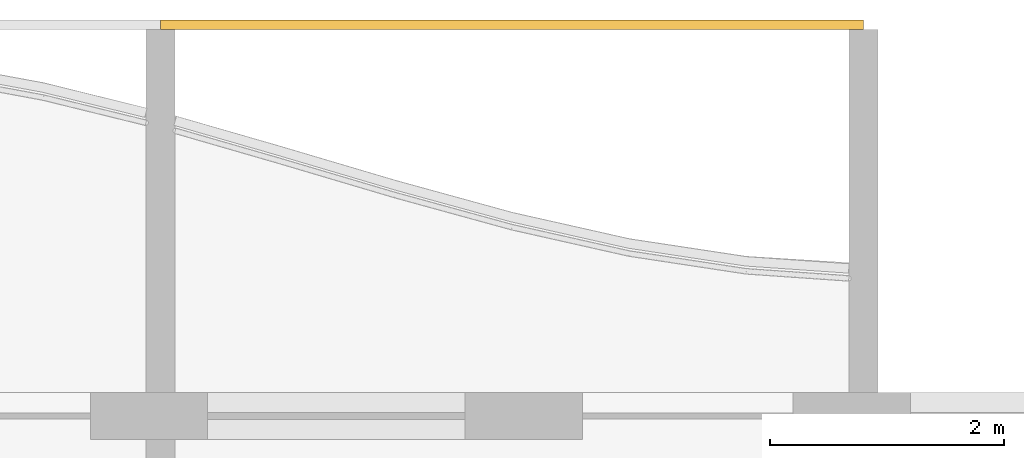
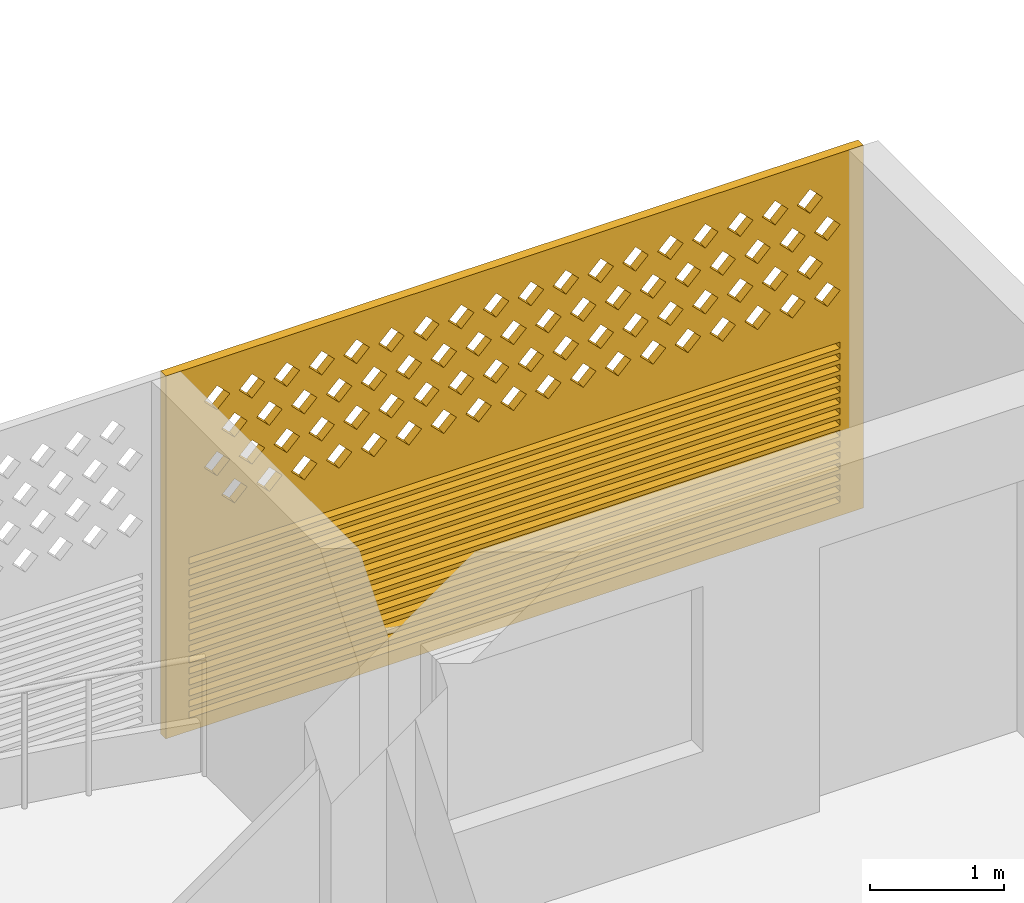
# One storey, part 23 of 29: 1 covering.
"""IFC4 building model written with IfcOpenShell, lengths in metres."""

from ifc_helpers import new_model, si_unit, direction, frame, origin, place, context, subcontext, project, spatial, polyline, outline, extrude, source, transform, mapped, material, material_profile, profile_set, type_object, element, save


model = new_model("IFC4")

# Units and contexts
model_context = context("Model", 3, precision=1e-05, world=origin(), true_north=direction((0.0, 1.0)))
body_context = subcontext(model_context, "Body", "Model", "MODEL_VIEW")
ifc_project = project(units=[si_unit("LENGTHUNIT", "METRE"), si_unit("AREAUNIT", "SQUARE_METRE"), si_unit("VOLUMEUNIT", "CUBIC_METRE"), si_unit("PLANEANGLEUNIT", "RADIAN"), si_unit("MASSUNIT", "GRAM", prefix="KILO")], contexts=[model_context])

# Site, building, storey
site_placement = place(None, origin())
site = spatial("IfcSite", under=ifc_project, at=site_placement, CompositionType="ELEMENT")
building_placement = place(site_placement, origin())
building = spatial("IfcBuilding", under=site, at=building_placement, Name="Poui Terraces", CompositionType="ELEMENT")
storey_placement = place(building_placement, frame((0.0, 0.0, 237.89990234375)))
storey = spatial("IfcBuildingStorey", under=building, at=storey_placement, Name="L66", CompositionType="ELEMENT", Elevation=237.89990234375)

# Covering
ifc_material = material(Name="Terracotta screen", Category="masonry")
ifc_material_profile = material_profile(ifc_material, outline(polyline([(-3.0, -1.64990234375), (3.0, -1.64990234375), (3.0, 1.64990234375), (-3.0, 1.64990234375), (-3.0, -1.64990234375)]), holes=[polyline([(-2.800048828125, 0.39990234375), (-2.68994140625, 0.2900390625), (-2.580078125, 0.39990234375), (-2.68994140625, 0.510009765625), (-2.800048828125, 0.39990234375)]), polyline([(-2.5, 0.39990234375), (-2.389892578125, 0.2900390625), (-2.280029296875, 0.39990234375), (-2.389892578125, 0.510009765625), (-2.5, 0.39990234375)]), polyline([(-2.199951171875, 0.39990234375), (-2.090087890625, 0.2900390625), (-1.97998046875, 0.39990234375), (-2.090087890625, 0.510009765625), (-2.199951171875, 0.39990234375)]), polyline([(-1.89990234375, 0.39990234375), (-1.7900390625, 0.2900390625), (-1.679931640625, 0.39990234375), (-1.7900390625, 0.510009765625), (-1.89990234375, 0.39990234375)]), polyline([(-1.60009765625, 0.39990234375), (-1.489990234375, 0.2900390625), (-1.3798828125, 0.39990234375), (-1.489990234375, 0.510009765625), (-1.60009765625, 0.39990234375)]), polyline([(-1.300048828125, 0.39990234375), (-1.18994140625, 0.2900390625), (-1.080078125, 0.39990234375), (-1.18994140625, 0.510009765625), (-1.300048828125, 0.39990234375)]), polyline([(-1.0, 0.39990234375), (-0.889892578125, 0.2900390625), (-0.780029296875, 0.39990234375), (-0.889892578125, 0.510009765625), (-1.0, 0.39990234375)]), polyline([(-0.699951171875, 0.39990234375), (-0.590087890625, 0.2900390625), (-0.47998046875, 0.39990234375), (-0.590087890625, 0.510009765625), (-0.699951171875, 0.39990234375)]), polyline([(-0.39990234375, 0.39990234375), (-0.2900390625, 0.2900390625), (-0.179931640625, 0.39990234375), (-0.2900390625, 0.510009765625), (-0.39990234375, 0.39990234375)]), polyline([(-0.10009765625, 0.39990234375), (0.010009765625, 0.2900390625), (0.1201171875, 0.39990234375), (0.010009765625, 0.510009765625), (-0.10009765625, 0.39990234375)]), polyline([(0.199951171875, 0.39990234375), (0.31005859375, 0.2900390625), (0.419921875, 0.39990234375), (0.31005859375, 0.510009765625), (0.199951171875, 0.39990234375)]), polyline([(0.5, 0.39990234375), (0.610107421875, 0.2900390625), (0.719970703125, 0.39990234375), (0.610107421875, 0.510009765625), (0.5, 0.39990234375)]), polyline([(0.800048828125, 0.39990234375), (0.909912109375, 0.2900390625), (1.02001953125, 0.39990234375), (0.909912109375, 0.510009765625), (0.800048828125, 0.39990234375)]), polyline([(1.10009765625, 0.39990234375), (1.2099609375, 0.2900390625), (1.320068359375, 0.39990234375), (1.2099609375, 0.510009765625), (1.10009765625, 0.39990234375)]), polyline([(1.39990234375, 0.39990234375), (1.510009765625, 0.2900390625), (1.6201171875, 0.39990234375), (1.510009765625, 0.510009765625), (1.39990234375, 0.39990234375)]), polyline([(1.699951171875, 0.39990234375), (1.81005859375, 0.2900390625), (1.919921875, 0.39990234375), (1.81005859375, 0.510009765625), (1.699951171875, 0.39990234375)]), polyline([(2.0, 0.39990234375), (2.110107421875, 0.2900390625), (2.219970703125, 0.39990234375), (2.110107421875, 0.510009765625), (2.0, 0.39990234375)]), polyline([(2.300048828125, 0.39990234375), (2.409912109375, 0.2900390625), (2.52001953125, 0.39990234375), (2.409912109375, 0.510009765625), (2.300048828125, 0.39990234375)]), polyline([(-2.64990234375, 0.699951171875), (-2.5400390625, 0.590087890625), (-2.429931640625, 0.699951171875), (-2.5400390625, 0.81005859375), (-2.64990234375, 0.699951171875)]), polyline([(-2.35009765625, 0.699951171875), (-2.239990234375, 0.590087890625), (-2.1298828125, 0.699951171875), (-2.239990234375, 0.81005859375), (-2.35009765625, 0.699951171875)]), polyline([(-2.050048828125, 0.699951171875), (-1.93994140625, 0.590087890625), (-1.830078125, 0.699951171875), (-1.93994140625, 0.81005859375), (-2.050048828125, 0.699951171875)]), polyline([(-1.75, 0.699951171875), (-1.639892578125, 0.590087890625), (-1.530029296875, 0.699951171875), (-1.639892578125, 0.81005859375), (-1.75, 0.699951171875)]), polyline([(-1.449951171875, 0.699951171875), (-1.340087890625, 0.590087890625), (-1.22998046875, 0.699951171875), (-1.340087890625, 0.81005859375), (-1.449951171875, 0.699951171875)]), polyline([(-1.14990234375, 0.699951171875), (-1.0400390625, 0.590087890625), (-0.929931640625, 0.699951171875), (-1.0400390625, 0.81005859375), (-1.14990234375, 0.699951171875)]), polyline([(-0.85009765625, 0.699951171875), (-0.739990234375, 0.590087890625), (-0.6298828125, 0.699951171875), (-0.739990234375, 0.81005859375), (-0.85009765625, 0.699951171875)]), polyline([(-0.550048828125, 0.699951171875), (-0.43994140625, 0.590087890625), (-0.330078125, 0.699951171875), (-0.43994140625, 0.81005859375), (-0.550048828125, 0.699951171875)]), polyline([(-0.25, 0.699951171875), (-0.139892578125, 0.590087890625), (-0.030029296875, 0.699951171875), (-0.139892578125, 0.81005859375), (-0.25, 0.699951171875)]), polyline([(0.050048828125, 0.699951171875), (0.159912109375, 0.590087890625), (0.27001953125, 0.699951171875), (0.159912109375, 0.81005859375), (0.050048828125, 0.699951171875)]), polyline([(0.35009765625, 0.699951171875), (0.4599609375, 0.590087890625), (0.570068359375, 0.699951171875), (0.4599609375, 0.81005859375), (0.35009765625, 0.699951171875)]), polyline([(0.64990234375, 0.699951171875), (0.760009765625, 0.590087890625), (0.8701171875, 0.699951171875), (0.760009765625, 0.81005859375), (0.64990234375, 0.699951171875)]), polyline([(0.949951171875, 0.699951171875), (1.06005859375, 0.590087890625), (1.169921875, 0.699951171875), (1.06005859375, 0.81005859375), (0.949951171875, 0.699951171875)]), polyline([(1.25, 0.699951171875), (1.360107421875, 0.590087890625), (1.469970703125, 0.699951171875), (1.360107421875, 0.81005859375), (1.25, 0.699951171875)]), polyline([(1.550048828125, 0.699951171875), (1.659912109375, 0.590087890625), (1.77001953125, 0.699951171875), (1.659912109375, 0.81005859375), (1.550048828125, 0.699951171875)]), polyline([(1.85009765625, 0.699951171875), (1.9599609375, 0.590087890625), (2.070068359375, 0.699951171875), (1.9599609375, 0.81005859375), (1.85009765625, 0.699951171875)]), polyline([(2.14990234375, 0.699951171875), (2.260009765625, 0.590087890625), (2.3701171875, 0.699951171875), (2.260009765625, 0.81005859375), (2.14990234375, 0.699951171875)]), polyline([(2.449951171875, 0.699951171875), (2.56005859375, 0.590087890625), (2.669921875, 0.699951171875), (2.56005859375, 0.81005859375), (2.449951171875, 0.699951171875)]), polyline([(-2.800048828125, 1.0), (-2.68994140625, 0.889892578125), (-2.580078125, 1.0), (-2.68994140625, 1.110107421875), (-2.800048828125, 1.0)]), polyline([(-2.5, 1.0), (-2.389892578125, 0.889892578125), (-2.280029296875, 1.0), (-2.389892578125, 1.110107421875), (-2.5, 1.0)]), polyline([(-2.199951171875, 1.0), (-2.090087890625, 0.889892578125), (-1.97998046875, 1.0), (-2.090087890625, 1.110107421875), (-2.199951171875, 1.0)]), polyline([(-1.89990234375, 1.0), (-1.7900390625, 0.889892578125), (-1.679931640625, 1.0), (-1.7900390625, 1.110107421875), (-1.89990234375, 1.0)]), polyline([(-1.60009765625, 1.0), (-1.489990234375, 0.889892578125), (-1.3798828125, 1.0), (-1.489990234375, 1.110107421875), (-1.60009765625, 1.0)]), polyline([(-1.300048828125, 1.0), (-1.18994140625, 0.889892578125), (-1.080078125, 1.0), (-1.18994140625, 1.110107421875), (-1.300048828125, 1.0)]), polyline([(-1.0, 1.0), (-0.889892578125, 0.889892578125), (-0.780029296875, 1.0), (-0.889892578125, 1.110107421875), (-1.0, 1.0)]), polyline([(-0.699951171875, 1.0), (-0.590087890625, 0.889892578125), (-0.47998046875, 1.0), (-0.590087890625, 1.110107421875), (-0.699951171875, 1.0)]), polyline([(-0.39990234375, 1.0), (-0.2900390625, 0.889892578125), (-0.179931640625, 1.0), (-0.2900390625, 1.110107421875), (-0.39990234375, 1.0)]), polyline([(-0.10009765625, 1.0), (0.010009765625, 0.889892578125), (0.1201171875, 1.0), (0.010009765625, 1.110107421875), (-0.10009765625, 1.0)]), polyline([(0.199951171875, 1.0), (0.31005859375, 0.889892578125), (0.419921875, 1.0), (0.31005859375, 1.110107421875), (0.199951171875, 1.0)]), polyline([(0.5, 1.0), (0.610107421875, 0.889892578125), (0.719970703125, 1.0), (0.610107421875, 1.110107421875), (0.5, 1.0)]), polyline([(0.800048828125, 1.0), (0.909912109375, 0.889892578125), (1.02001953125, 1.0), (0.909912109375, 1.110107421875), (0.800048828125, 1.0)]), polyline([(1.10009765625, 1.0), (1.2099609375, 0.889892578125), (1.320068359375, 1.0), (1.2099609375, 1.110107421875), (1.10009765625, 1.0)]), polyline([(1.39990234375, 1.0), (1.510009765625, 0.889892578125), (1.6201171875, 1.0), (1.510009765625, 1.110107421875), (1.39990234375, 1.0)]), polyline([(1.699951171875, 1.0), (1.81005859375, 0.889892578125), (1.919921875, 1.0), (1.81005859375, 1.110107421875), (1.699951171875, 1.0)]), polyline([(2.0, 1.0), (2.110107421875, 0.889892578125), (2.219970703125, 1.0), (2.110107421875, 1.110107421875), (2.0, 1.0)]), polyline([(2.300048828125, 1.0), (2.409912109375, 0.889892578125), (2.52001953125, 1.0), (2.409912109375, 1.110107421875), (2.300048828125, 1.0)]), polyline([(-2.64990234375, 1.300048828125), (-2.5400390625, 1.18994140625), (-2.429931640625, 1.300048828125), (-2.5400390625, 1.409912109375), (-2.64990234375, 1.300048828125)]), polyline([(-2.35009765625, 1.300048828125), (-2.239990234375, 1.18994140625), (-2.1298828125, 1.300048828125), (-2.239990234375, 1.409912109375), (-2.35009765625, 1.300048828125)]), polyline([(-2.050048828125, 1.300048828125), (-1.93994140625, 1.18994140625), (-1.830078125, 1.300048828125), (-1.93994140625, 1.409912109375), (-2.050048828125, 1.300048828125)]), polyline([(-1.75, 1.300048828125), (-1.639892578125, 1.18994140625), (-1.530029296875, 1.300048828125), (-1.639892578125, 1.409912109375), (-1.75, 1.300048828125)]), polyline([(-1.449951171875, 1.300048828125), (-1.340087890625, 1.18994140625), (-1.22998046875, 1.300048828125), (-1.340087890625, 1.409912109375), (-1.449951171875, 1.300048828125)]), polyline([(-1.14990234375, 1.300048828125), (-1.0400390625, 1.18994140625), (-0.929931640625, 1.300048828125), (-1.0400390625, 1.409912109375), (-1.14990234375, 1.300048828125)]), polyline([(-0.85009765625, 1.300048828125), (-0.739990234375, 1.18994140625), (-0.6298828125, 1.300048828125), (-0.739990234375, 1.409912109375), (-0.85009765625, 1.300048828125)]), polyline([(-0.550048828125, 1.300048828125), (-0.43994140625, 1.18994140625), (-0.330078125, 1.300048828125), (-0.43994140625, 1.409912109375), (-0.550048828125, 1.300048828125)]), polyline([(-0.25, 1.300048828125), (-0.139892578125, 1.18994140625), (-0.030029296875, 1.300048828125), (-0.139892578125, 1.409912109375), (-0.25, 1.300048828125)]), polyline([(0.050048828125, 1.300048828125), (0.159912109375, 1.18994140625), (0.27001953125, 1.300048828125), (0.159912109375, 1.409912109375), (0.050048828125, 1.300048828125)]), polyline([(0.35009765625, 1.300048828125), (0.4599609375, 1.18994140625), (0.570068359375, 1.300048828125), (0.4599609375, 1.409912109375), (0.35009765625, 1.300048828125)]), polyline([(0.64990234375, 1.300048828125), (0.760009765625, 1.18994140625), (0.8701171875, 1.300048828125), (0.760009765625, 1.409912109375), (0.64990234375, 1.300048828125)]), polyline([(0.949951171875, 1.300048828125), (1.06005859375, 1.18994140625), (1.169921875, 1.300048828125), (1.06005859375, 1.409912109375), (0.949951171875, 1.300048828125)]), polyline([(1.25, 1.300048828125), (1.360107421875, 1.18994140625), (1.469970703125, 1.300048828125), (1.360107421875, 1.409912109375), (1.25, 1.300048828125)]), polyline([(1.550048828125, 1.300048828125), (1.659912109375, 1.18994140625), (1.77001953125, 1.300048828125), (1.659912109375, 1.409912109375), (1.550048828125, 1.300048828125)]), polyline([(1.85009765625, 1.300048828125), (1.9599609375, 1.18994140625), (2.070068359375, 1.300048828125), (1.9599609375, 1.409912109375), (1.85009765625, 1.300048828125)]), polyline([(2.14990234375, 1.300048828125), (2.260009765625, 1.18994140625), (2.3701171875, 1.300048828125), (2.260009765625, 1.409912109375), (2.14990234375, 1.300048828125)]), polyline([(2.449951171875, 1.300048828125), (2.56005859375, 1.18994140625), (2.669921875, 1.300048828125), (2.56005859375, 1.409912109375), (2.449951171875, 1.300048828125)]), polyline([(-2.800048828125, -1.530029296875), (2.800048828125, -1.530029296875), (2.800048828125, -1.469970703125), (-2.800048828125, -1.469970703125), (-2.800048828125, -1.530029296875)]), polyline([(-2.800048828125, -1.429931640625), (2.800048828125, -1.429931640625), (2.800048828125, -1.3701171875), (-2.800048828125, -1.3701171875), (-2.800048828125, -1.429931640625)]), polyline([(-2.800048828125, -1.330078125), (2.800048828125, -1.330078125), (2.800048828125, -1.27001953125), (-2.800048828125, -1.27001953125), (-2.800048828125, -1.330078125)]), polyline([(-2.800048828125, -1.22998046875), (2.800048828125, -1.22998046875), (2.800048828125, -1.169921875), (-2.800048828125, -1.169921875), (-2.800048828125, -1.22998046875)]), polyline([(-2.800048828125, -1.1298828125), (2.800048828125, -1.1298828125), (2.800048828125, -1.070068359375), (-2.800048828125, -1.070068359375), (-2.800048828125, -1.1298828125)]), polyline([(-2.800048828125, -1.030029296875), (2.800048828125, -1.030029296875), (2.800048828125, -0.969970703125), (-2.800048828125, -0.969970703125), (-2.800048828125, -1.030029296875)]), polyline([(-2.800048828125, -0.929931640625), (2.800048828125, -0.929931640625), (2.800048828125, -0.8701171875), (-2.800048828125, -0.8701171875), (-2.800048828125, -0.929931640625)]), polyline([(-2.800048828125, -0.830078125), (2.800048828125, -0.830078125), (2.800048828125, -0.77001953125), (-2.800048828125, -0.77001953125), (-2.800048828125, -0.830078125)]), polyline([(-2.800048828125, -0.72998046875), (2.800048828125, -0.72998046875), (2.800048828125, -0.669921875), (-2.800048828125, -0.669921875), (-2.800048828125, -0.72998046875)]), polyline([(-2.800048828125, -0.6298828125), (2.800048828125, -0.6298828125), (2.800048828125, -0.570068359375), (-2.800048828125, -0.570068359375), (-2.800048828125, -0.6298828125)]), polyline([(-2.800048828125, -0.530029296875), (2.800048828125, -0.530029296875), (2.800048828125, -0.469970703125), (-2.800048828125, -0.469970703125), (-2.800048828125, -0.530029296875)]), polyline([(-2.800048828125, -0.429931640625), (2.800048828125, -0.429931640625), (2.800048828125, -0.3701171875), (-2.800048828125, -0.3701171875), (-2.800048828125, -0.429931640625)]), polyline([(-2.800048828125, -0.330078125), (2.800048828125, -0.330078125), (2.800048828125, -0.27001953125), (-2.800048828125, -0.27001953125), (-2.800048828125, -0.330078125)]), polyline([(-2.800048828125, -0.22998046875), (2.800048828125, -0.22998046875), (2.800048828125, -0.169921875), (-2.800048828125, -0.169921875), (-2.800048828125, -0.22998046875)]), polyline([(-2.800048828125, -0.1298828125), (2.800048828125, -0.1298828125), (2.800048828125, -0.070068359375), (-2.800048828125, -0.070068359375), (-2.800048828125, -0.1298828125)])]), Name="TERRACOTTA SCREEN AND JALOUSIE LOUVRE 6000X3300")
ifc_profile_set = profile_set([ifc_material_profile], Name="Terracotta screen")
covering_type = type_object("IfcCoveringType", Name="TERRACOTTA SCREEN AND JALOUSIE LOUVRE 6000X3300", PredefinedType="CLADDING", material=ifc_profile_set)
shared_shape = source(origin(), body_context, "Body", "SweptSolid", [
    extrude(outline(polyline([(-3.0, -1.64990234375), (3.0, -1.64990234375), (3.0, 1.64990234375), (-3.0, 1.64990234375), (-3.0, -1.64990234375)]), holes=[polyline([(-2.800048828125, 0.39990234375), (-2.68994140625, 0.2900390625), (-2.580078125, 0.39990234375), (-2.68994140625, 0.510009765625), (-2.800048828125, 0.39990234375)]), polyline([(-2.5, 0.39990234375), (-2.389892578125, 0.2900390625), (-2.280029296875, 0.39990234375), (-2.389892578125, 0.510009765625), (-2.5, 0.39990234375)]), polyline([(-2.199951171875, 0.39990234375), (-2.090087890625, 0.2900390625), (-1.97998046875, 0.39990234375), (-2.090087890625, 0.510009765625), (-2.199951171875, 0.39990234375)]), polyline([(-1.89990234375, 0.39990234375), (-1.7900390625, 0.2900390625), (-1.679931640625, 0.39990234375), (-1.7900390625, 0.510009765625), (-1.89990234375, 0.39990234375)]), polyline([(-1.60009765625, 0.39990234375), (-1.489990234375, 0.2900390625), (-1.3798828125, 0.39990234375), (-1.489990234375, 0.510009765625), (-1.60009765625, 0.39990234375)]), polyline([(-1.300048828125, 0.39990234375), (-1.18994140625, 0.2900390625), (-1.080078125, 0.39990234375), (-1.18994140625, 0.510009765625), (-1.300048828125, 0.39990234375)]), polyline([(-1.0, 0.39990234375), (-0.889892578125, 0.2900390625), (-0.780029296875, 0.39990234375), (-0.889892578125, 0.510009765625), (-1.0, 0.39990234375)]), polyline([(-0.699951171875, 0.39990234375), (-0.590087890625, 0.2900390625), (-0.47998046875, 0.39990234375), (-0.590087890625, 0.510009765625), (-0.699951171875, 0.39990234375)]), polyline([(-0.39990234375, 0.39990234375), (-0.2900390625, 0.2900390625), (-0.179931640625, 0.39990234375), (-0.2900390625, 0.510009765625), (-0.39990234375, 0.39990234375)]), polyline([(-0.10009765625, 0.39990234375), (0.010009765625, 0.2900390625), (0.1201171875, 0.39990234375), (0.010009765625, 0.510009765625), (-0.10009765625, 0.39990234375)]), polyline([(0.199951171875, 0.39990234375), (0.31005859375, 0.2900390625), (0.419921875, 0.39990234375), (0.31005859375, 0.510009765625), (0.199951171875, 0.39990234375)]), polyline([(0.5, 0.39990234375), (0.610107421875, 0.2900390625), (0.719970703125, 0.39990234375), (0.610107421875, 0.510009765625), (0.5, 0.39990234375)]), polyline([(0.800048828125, 0.39990234375), (0.909912109375, 0.2900390625), (1.02001953125, 0.39990234375), (0.909912109375, 0.510009765625), (0.800048828125, 0.39990234375)]), polyline([(1.10009765625, 0.39990234375), (1.2099609375, 0.2900390625), (1.320068359375, 0.39990234375), (1.2099609375, 0.510009765625), (1.10009765625, 0.39990234375)]), polyline([(1.39990234375, 0.39990234375), (1.510009765625, 0.2900390625), (1.6201171875, 0.39990234375), (1.510009765625, 0.510009765625), (1.39990234375, 0.39990234375)]), polyline([(1.699951171875, 0.39990234375), (1.81005859375, 0.2900390625), (1.919921875, 0.39990234375), (1.81005859375, 0.510009765625), (1.699951171875, 0.39990234375)]), polyline([(2.0, 0.39990234375), (2.110107421875, 0.2900390625), (2.219970703125, 0.39990234375), (2.110107421875, 0.510009765625), (2.0, 0.39990234375)]), polyline([(2.300048828125, 0.39990234375), (2.409912109375, 0.2900390625), (2.52001953125, 0.39990234375), (2.409912109375, 0.510009765625), (2.300048828125, 0.39990234375)]), polyline([(-2.64990234375, 0.699951171875), (-2.5400390625, 0.590087890625), (-2.429931640625, 0.699951171875), (-2.5400390625, 0.81005859375), (-2.64990234375, 0.699951171875)]), polyline([(-2.35009765625, 0.699951171875), (-2.239990234375, 0.590087890625), (-2.1298828125, 0.699951171875), (-2.239990234375, 0.81005859375), (-2.35009765625, 0.699951171875)]), polyline([(-2.050048828125, 0.699951171875), (-1.93994140625, 0.590087890625), (-1.830078125, 0.699951171875), (-1.93994140625, 0.81005859375), (-2.050048828125, 0.699951171875)]), polyline([(-1.75, 0.699951171875), (-1.639892578125, 0.590087890625), (-1.530029296875, 0.699951171875), (-1.639892578125, 0.81005859375), (-1.75, 0.699951171875)]), polyline([(-1.449951171875, 0.699951171875), (-1.340087890625, 0.590087890625), (-1.22998046875, 0.699951171875), (-1.340087890625, 0.81005859375), (-1.449951171875, 0.699951171875)]), polyline([(-1.14990234375, 0.699951171875), (-1.0400390625, 0.590087890625), (-0.929931640625, 0.699951171875), (-1.0400390625, 0.81005859375), (-1.14990234375, 0.699951171875)]), polyline([(-0.85009765625, 0.699951171875), (-0.739990234375, 0.590087890625), (-0.6298828125, 0.699951171875), (-0.739990234375, 0.81005859375), (-0.85009765625, 0.699951171875)]), polyline([(-0.550048828125, 0.699951171875), (-0.43994140625, 0.590087890625), (-0.330078125, 0.699951171875), (-0.43994140625, 0.81005859375), (-0.550048828125, 0.699951171875)]), polyline([(-0.25, 0.699951171875), (-0.139892578125, 0.590087890625), (-0.030029296875, 0.699951171875), (-0.139892578125, 0.81005859375), (-0.25, 0.699951171875)]), polyline([(0.050048828125, 0.699951171875), (0.159912109375, 0.590087890625), (0.27001953125, 0.699951171875), (0.159912109375, 0.81005859375), (0.050048828125, 0.699951171875)]), polyline([(0.35009765625, 0.699951171875), (0.4599609375, 0.590087890625), (0.570068359375, 0.699951171875), (0.4599609375, 0.81005859375), (0.35009765625, 0.699951171875)]), polyline([(0.64990234375, 0.699951171875), (0.760009765625, 0.590087890625), (0.8701171875, 0.699951171875), (0.760009765625, 0.81005859375), (0.64990234375, 0.699951171875)]), polyline([(0.949951171875, 0.699951171875), (1.06005859375, 0.590087890625), (1.169921875, 0.699951171875), (1.06005859375, 0.81005859375), (0.949951171875, 0.699951171875)]), polyline([(1.25, 0.699951171875), (1.360107421875, 0.590087890625), (1.469970703125, 0.699951171875), (1.360107421875, 0.81005859375), (1.25, 0.699951171875)]), polyline([(1.550048828125, 0.699951171875), (1.659912109375, 0.590087890625), (1.77001953125, 0.699951171875), (1.659912109375, 0.81005859375), (1.550048828125, 0.699951171875)]), polyline([(1.85009765625, 0.699951171875), (1.9599609375, 0.590087890625), (2.070068359375, 0.699951171875), (1.9599609375, 0.81005859375), (1.85009765625, 0.699951171875)]), polyline([(2.14990234375, 0.699951171875), (2.260009765625, 0.590087890625), (2.3701171875, 0.699951171875), (2.260009765625, 0.81005859375), (2.14990234375, 0.699951171875)]), polyline([(2.449951171875, 0.699951171875), (2.56005859375, 0.590087890625), (2.669921875, 0.699951171875), (2.56005859375, 0.81005859375), (2.449951171875, 0.699951171875)]), polyline([(-2.800048828125, 1.0), (-2.68994140625, 0.889892578125), (-2.580078125, 1.0), (-2.68994140625, 1.110107421875), (-2.800048828125, 1.0)]), polyline([(-2.5, 1.0), (-2.389892578125, 0.889892578125), (-2.280029296875, 1.0), (-2.389892578125, 1.110107421875), (-2.5, 1.0)]), polyline([(-2.199951171875, 1.0), (-2.090087890625, 0.889892578125), (-1.97998046875, 1.0), (-2.090087890625, 1.110107421875), (-2.199951171875, 1.0)]), polyline([(-1.89990234375, 1.0), (-1.7900390625, 0.889892578125), (-1.679931640625, 1.0), (-1.7900390625, 1.110107421875), (-1.89990234375, 1.0)]), polyline([(-1.60009765625, 1.0), (-1.489990234375, 0.889892578125), (-1.3798828125, 1.0), (-1.489990234375, 1.110107421875), (-1.60009765625, 1.0)]), polyline([(-1.300048828125, 1.0), (-1.18994140625, 0.889892578125), (-1.080078125, 1.0), (-1.18994140625, 1.110107421875), (-1.300048828125, 1.0)]), polyline([(-1.0, 1.0), (-0.889892578125, 0.889892578125), (-0.780029296875, 1.0), (-0.889892578125, 1.110107421875), (-1.0, 1.0)]), polyline([(-0.699951171875, 1.0), (-0.590087890625, 0.889892578125), (-0.47998046875, 1.0), (-0.590087890625, 1.110107421875), (-0.699951171875, 1.0)]), polyline([(-0.39990234375, 1.0), (-0.2900390625, 0.889892578125), (-0.179931640625, 1.0), (-0.2900390625, 1.110107421875), (-0.39990234375, 1.0)]), polyline([(-0.10009765625, 1.0), (0.010009765625, 0.889892578125), (0.1201171875, 1.0), (0.010009765625, 1.110107421875), (-0.10009765625, 1.0)]), polyline([(0.199951171875, 1.0), (0.31005859375, 0.889892578125), (0.419921875, 1.0), (0.31005859375, 1.110107421875), (0.199951171875, 1.0)]), polyline([(0.5, 1.0), (0.610107421875, 0.889892578125), (0.719970703125, 1.0), (0.610107421875, 1.110107421875), (0.5, 1.0)]), polyline([(0.800048828125, 1.0), (0.909912109375, 0.889892578125), (1.02001953125, 1.0), (0.909912109375, 1.110107421875), (0.800048828125, 1.0)]), polyline([(1.10009765625, 1.0), (1.2099609375, 0.889892578125), (1.320068359375, 1.0), (1.2099609375, 1.110107421875), (1.10009765625, 1.0)]), polyline([(1.39990234375, 1.0), (1.510009765625, 0.889892578125), (1.6201171875, 1.0), (1.510009765625, 1.110107421875), (1.39990234375, 1.0)]), polyline([(1.699951171875, 1.0), (1.81005859375, 0.889892578125), (1.919921875, 1.0), (1.81005859375, 1.110107421875), (1.699951171875, 1.0)]), polyline([(2.0, 1.0), (2.110107421875, 0.889892578125), (2.219970703125, 1.0), (2.110107421875, 1.110107421875), (2.0, 1.0)]), polyline([(2.300048828125, 1.0), (2.409912109375, 0.889892578125), (2.52001953125, 1.0), (2.409912109375, 1.110107421875), (2.300048828125, 1.0)]), polyline([(-2.64990234375, 1.300048828125), (-2.5400390625, 1.18994140625), (-2.429931640625, 1.300048828125), (-2.5400390625, 1.409912109375), (-2.64990234375, 1.300048828125)]), polyline([(-2.35009765625, 1.300048828125), (-2.239990234375, 1.18994140625), (-2.1298828125, 1.300048828125), (-2.239990234375, 1.409912109375), (-2.35009765625, 1.300048828125)]), polyline([(-2.050048828125, 1.300048828125), (-1.93994140625, 1.18994140625), (-1.830078125, 1.300048828125), (-1.93994140625, 1.409912109375), (-2.050048828125, 1.300048828125)]), polyline([(-1.75, 1.300048828125), (-1.639892578125, 1.18994140625), (-1.530029296875, 1.300048828125), (-1.639892578125, 1.409912109375), (-1.75, 1.300048828125)]), polyline([(-1.449951171875, 1.300048828125), (-1.340087890625, 1.18994140625), (-1.22998046875, 1.300048828125), (-1.340087890625, 1.409912109375), (-1.449951171875, 1.300048828125)]), polyline([(-1.14990234375, 1.300048828125), (-1.0400390625, 1.18994140625), (-0.929931640625, 1.300048828125), (-1.0400390625, 1.409912109375), (-1.14990234375, 1.300048828125)]), polyline([(-0.85009765625, 1.300048828125), (-0.739990234375, 1.18994140625), (-0.6298828125, 1.300048828125), (-0.739990234375, 1.409912109375), (-0.85009765625, 1.300048828125)]), polyline([(-0.550048828125, 1.300048828125), (-0.43994140625, 1.18994140625), (-0.330078125, 1.300048828125), (-0.43994140625, 1.409912109375), (-0.550048828125, 1.300048828125)]), polyline([(-0.25, 1.300048828125), (-0.139892578125, 1.18994140625), (-0.030029296875, 1.300048828125), (-0.139892578125, 1.409912109375), (-0.25, 1.300048828125)]), polyline([(0.050048828125, 1.300048828125), (0.159912109375, 1.18994140625), (0.27001953125, 1.300048828125), (0.159912109375, 1.409912109375), (0.050048828125, 1.300048828125)]), polyline([(0.35009765625, 1.300048828125), (0.4599609375, 1.18994140625), (0.570068359375, 1.300048828125), (0.4599609375, 1.409912109375), (0.35009765625, 1.300048828125)]), polyline([(0.64990234375, 1.300048828125), (0.760009765625, 1.18994140625), (0.8701171875, 1.300048828125), (0.760009765625, 1.409912109375), (0.64990234375, 1.300048828125)]), polyline([(0.949951171875, 1.300048828125), (1.06005859375, 1.18994140625), (1.169921875, 1.300048828125), (1.06005859375, 1.409912109375), (0.949951171875, 1.300048828125)]), polyline([(1.25, 1.300048828125), (1.360107421875, 1.18994140625), (1.469970703125, 1.300048828125), (1.360107421875, 1.409912109375), (1.25, 1.300048828125)]), polyline([(1.550048828125, 1.300048828125), (1.659912109375, 1.18994140625), (1.77001953125, 1.300048828125), (1.659912109375, 1.409912109375), (1.550048828125, 1.300048828125)]), polyline([(1.85009765625, 1.300048828125), (1.9599609375, 1.18994140625), (2.070068359375, 1.300048828125), (1.9599609375, 1.409912109375), (1.85009765625, 1.300048828125)]), polyline([(2.14990234375, 1.300048828125), (2.260009765625, 1.18994140625), (2.3701171875, 1.300048828125), (2.260009765625, 1.409912109375), (2.14990234375, 1.300048828125)]), polyline([(2.449951171875, 1.300048828125), (2.56005859375, 1.18994140625), (2.669921875, 1.300048828125), (2.56005859375, 1.409912109375), (2.449951171875, 1.300048828125)]), polyline([(-2.800048828125, -1.530029296875), (2.800048828125, -1.530029296875), (2.800048828125, -1.469970703125), (-2.800048828125, -1.469970703125), (-2.800048828125, -1.530029296875)]), polyline([(-2.800048828125, -1.429931640625), (2.800048828125, -1.429931640625), (2.800048828125, -1.3701171875), (-2.800048828125, -1.3701171875), (-2.800048828125, -1.429931640625)]), polyline([(-2.800048828125, -1.330078125), (2.800048828125, -1.330078125), (2.800048828125, -1.27001953125), (-2.800048828125, -1.27001953125), (-2.800048828125, -1.330078125)]), polyline([(-2.800048828125, -1.22998046875), (2.800048828125, -1.22998046875), (2.800048828125, -1.169921875), (-2.800048828125, -1.169921875), (-2.800048828125, -1.22998046875)]), polyline([(-2.800048828125, -1.1298828125), (2.800048828125, -1.1298828125), (2.800048828125, -1.070068359375), (-2.800048828125, -1.070068359375), (-2.800048828125, -1.1298828125)]), polyline([(-2.800048828125, -1.030029296875), (2.800048828125, -1.030029296875), (2.800048828125, -0.969970703125), (-2.800048828125, -0.969970703125), (-2.800048828125, -1.030029296875)]), polyline([(-2.800048828125, -0.929931640625), (2.800048828125, -0.929931640625), (2.800048828125, -0.8701171875), (-2.800048828125, -0.8701171875), (-2.800048828125, -0.929931640625)]), polyline([(-2.800048828125, -0.830078125), (2.800048828125, -0.830078125), (2.800048828125, -0.77001953125), (-2.800048828125, -0.77001953125), (-2.800048828125, -0.830078125)]), polyline([(-2.800048828125, -0.72998046875), (2.800048828125, -0.72998046875), (2.800048828125, -0.669921875), (-2.800048828125, -0.669921875), (-2.800048828125, -0.72998046875)]), polyline([(-2.800048828125, -0.6298828125), (2.800048828125, -0.6298828125), (2.800048828125, -0.570068359375), (-2.800048828125, -0.570068359375), (-2.800048828125, -0.6298828125)]), polyline([(-2.800048828125, -0.530029296875), (2.800048828125, -0.530029296875), (2.800048828125, -0.469970703125), (-2.800048828125, -0.469970703125), (-2.800048828125, -0.530029296875)]), polyline([(-2.800048828125, -0.429931640625), (2.800048828125, -0.429931640625), (2.800048828125, -0.3701171875), (-2.800048828125, -0.3701171875), (-2.800048828125, -0.429931640625)]), polyline([(-2.800048828125, -0.330078125), (2.800048828125, -0.330078125), (2.800048828125, -0.27001953125), (-2.800048828125, -0.27001953125), (-2.800048828125, -0.330078125)]), polyline([(-2.800048828125, -0.22998046875), (2.800048828125, -0.22998046875), (2.800048828125, -0.169921875), (-2.800048828125, -0.169921875), (-2.800048828125, -0.22998046875)]), polyline([(-2.800048828125, -0.1298828125), (2.800048828125, -0.1298828125), (2.800048828125, -0.070068359375), (-2.800048828125, -0.070068359375), (-2.800048828125, -0.1298828125)])]), origin(), (0.0, 0.0, 1.0), 0.080078125),
])
covering_placement = place(storey_placement, frame((51.0, 44.5, 1.4501953125), z_axis=(0.0, 1.0, 0.0), x_axis=(-1.0, 0.0, 0.0)))
element("IfcCovering", 1, at=covering_placement, inside=storey, type_object=covering_type, Name="SOLAR SCREEN AND JALOUSIE LOUVRE", PredefinedType="CLADDING", context=body_context, shape_type="MappedRepresentation", body=[
    mapped(shared_shape, transform((0.0, 0.0, 0.0))),
])

save(model, "model.ifc")
